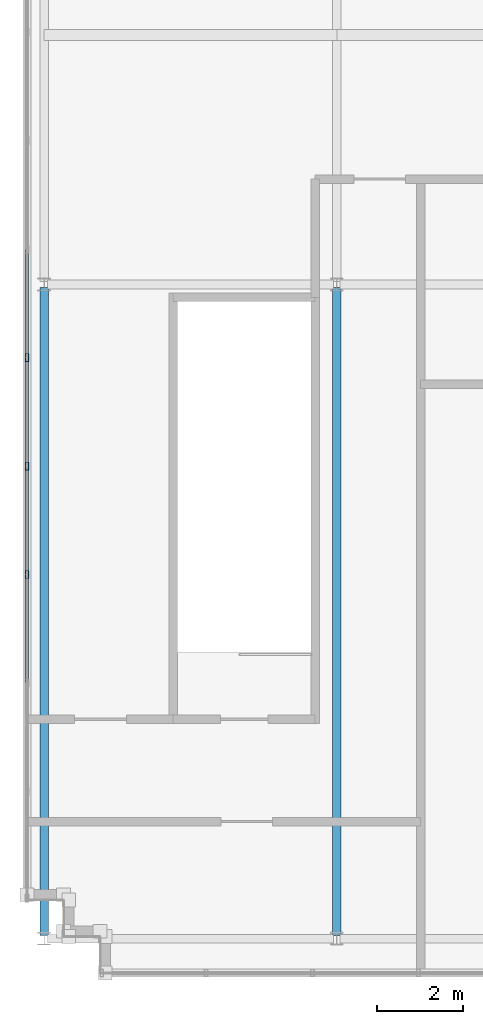
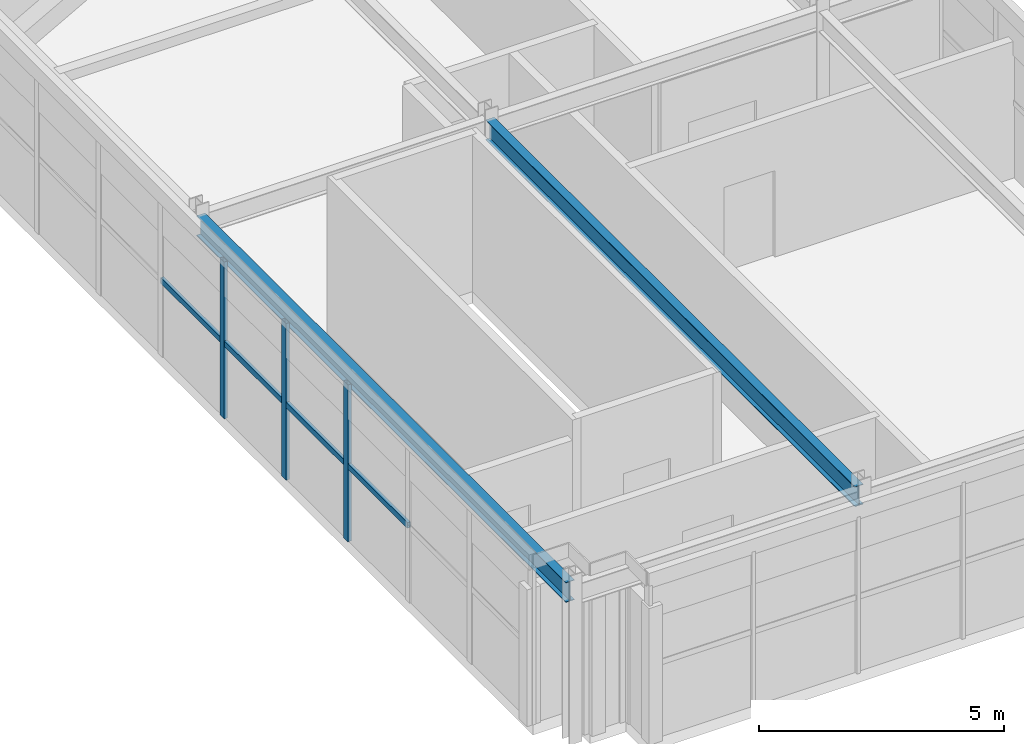
# One storey, part 5 of 25: 7 members, 2 beams, 1 element without a shape of its own.
"""IFC4 building model written with IfcOpenShell, lengths in metres."""

from ifc_helpers import new_model, si_unit, direction, frame, origin, origin_2d, place, context, subcontext, project, spatial, hollow_rectangle, i_section, extrude, source, transform, mapped, material, material_profile, profile_set, type_object, element, aggregate, save


model = new_model("IFC4")

# Units and contexts
model_context = context("Model", 3, precision=1e-05, world=origin(), true_north=direction((0.0, 1.0)))
body_context = subcontext(model_context, "Body", "Model", "MODEL_VIEW")
ifc_project = project(units=[si_unit("LENGTHUNIT", "METRE"), si_unit("AREAUNIT", "SQUARE_METRE"), si_unit("VOLUMEUNIT", "CUBIC_METRE"), si_unit("PLANEANGLEUNIT", "RADIAN"), si_unit("MASSUNIT", "GRAM", prefix="KILO")], contexts=[model_context])

# Site, building, storey
site_placement = place(None, origin())
site = spatial("IfcSite", under=ifc_project, at=site_placement, CompositionType="ELEMENT")
building_placement = place(site_placement, origin())
building = spatial("IfcBuilding", under=site, at=building_placement, Name="Trelvane Seafront Commons", CompositionType="ELEMENT")
storey_placement = place(building_placement, frame((0.0, 0.0, 320.89990234375)))
storey = spatial("IfcBuildingStorey", under=building, at=storey_placement, Name="L83", CompositionType="ELEMENT", Elevation=320.89990234375)

# Beams
ifc_material_1 = material(Name="Steel SM355 (S355)", Category="steel")
ifc_material_profile_1 = material_profile(ifc_material_1, i_section(OverallWidth=0.199951171875, OverallDepth=0.5, WebThickness=0.010009765625, FlangeThickness=0.01611328125, at=origin_2d()), Name="H-500x200x10x16")
ifc_profile_set_1 = profile_set([ifc_material_profile_1], Name="Steel SM355 (S355)")
beam_type = type_object("IfcBeamType", Name="STR-BM-H500", PredefinedType="BEAM", material=ifc_profile_set_1)
shared_shape_1 = source(origin(), body_context, "Body", "SweptSolid", [
    extrude(i_section(OverallWidth=0.199951171875, OverallDepth=0.5, WebThickness=0.010009765625, FlangeThickness=0.01611328125, at=origin_2d()), origin(), (0.0, 0.0, 1.0), 15.050048828125),
])
for number, where, z_axis, x_axis, name in (
    (1, (8.800048828125, 18.27490234375, 3.650146484375), (0.0, 1.0, 0.0), (-1.0, 0.0, 0.0), "L83 Primary Girder G-13"),
    (2, (15.60009765625, 18.27490234375, 3.650146484375), (0.0, 1.0, 0.0), (-1.0, 0.0, 0.0), "L83 Primary Girder G-15"),
):
    element("IfcBeam", number, at=place(storey_placement, frame(where, z_axis=z_axis, x_axis=x_axis)), inside=storey, type_object=beam_type, Name=name, PredefinedType="BEAM", context=body_context, shape_type="MappedRepresentation", body=[
        mapped(shared_shape_1, transform((0.0, 0.0, 0.0), x_axis=(1.0, 0.0, 0.0), y_axis=(0.0, 1.0, 0.0), z_axis=(0.0, 0.0, 1.0), scale=1.0)),
    ])

# Curtain wall, members
ifc_material_2 = material(Name="Anodised pale-silver aluminium", Category="aluminium")
curtain_wall_type = type_object("IfcCurtainWallType", Name="ARCH-CW6-CROWN", PredefinedType="NOTDEFINED", material=ifc_material_2)
curtain_wall_placement = place(storey_placement, origin())
curtain_wall = element("IfcCurtainWall", 3, at=curtain_wall_placement, inside=storey, type_object=curtain_wall_type, Name="CW-L83-0160", PredefinedType="NOTDEFINED")
ifc_material_profile_2 = material_profile(ifc_material_2, hollow_rectangle(XDim=0.080078125, YDim=0.179931640625, WallThickness=0.00439453125, at=origin_2d()), Name="MULL-80x180x4.5")
ifc_profile_set_2 = profile_set([ifc_material_profile_2], Name="Anodised pale-silver aluminium")
member_type_1 = type_object("IfcMemberType", Name="ARCH-CW-MULL-180", PredefinedType="MULLION", material=ifc_profile_set_2)
shared_shape_2 = source(origin(), body_context, "Body", "SweptSolid", [
    extrude(hollow_rectangle(XDim=0.080078125, YDim=0.179931640625, WallThickness=0.00439453125, at=origin_2d()), origin(), (0.0, 0.0, 1.0), 3.900146484375),
])
member_1_placement = place(storey_placement, frame((8.39990234375, 26.659912109375, 0.0), z_axis=(0.0, 0.0, 1.0), x_axis=(1.0, 0.0, 0.0)))
member_1 = element("IfcMember", 4, at=member_1_placement, type_object=member_type_1, Name="CW-L83-0160-M03", PredefinedType="MULLION", context=body_context, shape_type="MappedRepresentation", body=[
    mapped(shared_shape_2, transform((0.0, 0.0, 0.0), x_axis=(1.0, 0.0, 0.0), y_axis=(0.0, 1.0, 0.0), z_axis=(0.0, 0.0, 1.0), scale=1.0)),
])
member_2_placement = place(storey_placement, frame((8.39990234375, 29.179931640625, 0.0), z_axis=(0.0, 0.0, 1.0), x_axis=(1.0, 0.0, 0.0)))
member_2 = element("IfcMember", 5, at=member_2_placement, type_object=member_type_1, Name="CW-L83-0160-M04", PredefinedType="MULLION", context=body_context, shape_type="MappedRepresentation", body=[
    mapped(shared_shape_2, transform((0.0, 0.0, 0.0), x_axis=(1.0, 0.0, 0.0), y_axis=(0.0, 1.0, 0.0), z_axis=(0.0, 0.0, 1.0), scale=1.0)),
])
member_3_placement = place(storey_placement, frame((8.39990234375, 31.699951171875, 0.0), z_axis=(0.0, 0.0, 1.0), x_axis=(1.0, 0.0, 0.0)))
member_3 = element("IfcMember", 6, at=member_3_placement, type_object=member_type_1, Name="CW-L83-0160-M05", PredefinedType="MULLION", context=body_context, shape_type="MappedRepresentation", body=[
    mapped(shared_shape_2, transform((0.0, 0.0, 0.0), x_axis=(1.0, 0.0, 0.0), y_axis=(0.0, 1.0, 0.0), z_axis=(0.0, 0.0, 1.0), scale=1.0)),
])
ifc_material_profile_3 = material_profile(ifc_material_2, hollow_rectangle(XDim=0.074951171875, YDim=0.139892578125, WallThickness=0.00390625, at=origin_2d()), Name="TRAN-75x140x4")
ifc_profile_set_3 = profile_set([ifc_material_profile_3], Name="Anodised pale-silver aluminium")
member_type_2 = type_object("IfcMemberType", Name="ARCH-CW-TRAN-140", PredefinedType="USERDEFINED", material=ifc_profile_set_3)
shared_shape_3 = source(origin(), body_context, "Body", "SweptSolid", [
    extrude(hollow_rectangle(XDim=0.074951171875, YDim=0.139892578125, WallThickness=0.00390625, at=origin_2d()), origin(), (0.0, 0.0, 1.0), 2.495849609375),
])
member_4_placement = place(storey_placement, frame((8.39990234375, 24.152099609375, 1.8720703125), z_axis=(0.0, 1.0, 0.0), x_axis=(-1.0, 0.0, 0.0)))
member_4 = element("IfcMember", 7, at=member_4_placement, type_object=member_type_2, Name="CW-L83-0160-T02", ObjectType="TRANSOM", PredefinedType="USERDEFINED", context=body_context, shape_type="MappedRepresentation", body=[
    mapped(shared_shape_3, transform((0.0, 0.0, 0.0), x_axis=(1.0, 0.0, 0.0), y_axis=(0.0, 1.0, 0.0), z_axis=(0.0, 0.0, 1.0), scale=1.0)),
])
member_5_placement = place(storey_placement, frame((8.39990234375, 26.672119140625, 1.8720703125), z_axis=(0.0, 1.0, 0.0), x_axis=(-1.0, 0.0, 0.0)))
member_5 = element("IfcMember", 8, at=member_5_placement, type_object=member_type_2, Name="CW-L83-0160-T03", ObjectType="TRANSOM", PredefinedType="USERDEFINED", context=body_context, shape_type="MappedRepresentation", body=[
    mapped(shared_shape_3, transform((0.0, 0.0, 0.0), x_axis=(1.0, 0.0, 0.0), y_axis=(0.0, 1.0, 0.0), z_axis=(0.0, 0.0, 1.0), scale=1.0)),
])
shared_shape_4 = source(origin(), body_context, "Body", "SweptSolid", [
    extrude(hollow_rectangle(XDim=0.074951171875, YDim=0.139892578125, WallThickness=0.00390625, at=origin_2d()), origin(), (0.0, 0.0, 1.0), 2.49609375),
])
member_6_placement = place(storey_placement, frame((8.39990234375, 29.19189453125, 1.8720703125), z_axis=(0.0, 1.0, 0.0), x_axis=(-1.0, 0.0, 0.0)))
member_6 = element("IfcMember", 9, at=member_6_placement, type_object=member_type_2, Name="CW-L83-0160-T04", ObjectType="TRANSOM", PredefinedType="USERDEFINED", context=body_context, shape_type="MappedRepresentation", body=[
    mapped(shared_shape_4, transform((0.0, 0.0, 0.0), x_axis=(1.0, 0.0, 0.0), y_axis=(0.0, 1.0, 0.0), z_axis=(0.0, 0.0, 1.0), scale=1.0)),
])
member_7_placement = place(storey_placement, frame((8.39990234375, 31.7119140625, 1.8720703125), z_axis=(0.0, 1.0, 0.0), x_axis=(-1.0, 0.0, 0.0)))
member_7 = element("IfcMember", 10, at=member_7_placement, type_object=member_type_2, Name="CW-L83-0160-T05", ObjectType="TRANSOM", PredefinedType="USERDEFINED", context=body_context, shape_type="MappedRepresentation", body=[
    mapped(shared_shape_4, transform((0.0, 0.0, 0.0), x_axis=(1.0, 0.0, 0.0), y_axis=(0.0, 1.0, 0.0), z_axis=(0.0, 0.0, 1.0), scale=1.0)),
])
aggregate(curtain_wall, [member_1, member_2, member_3, member_4, member_5, member_6, member_7])

save(model, "model.ifc")
